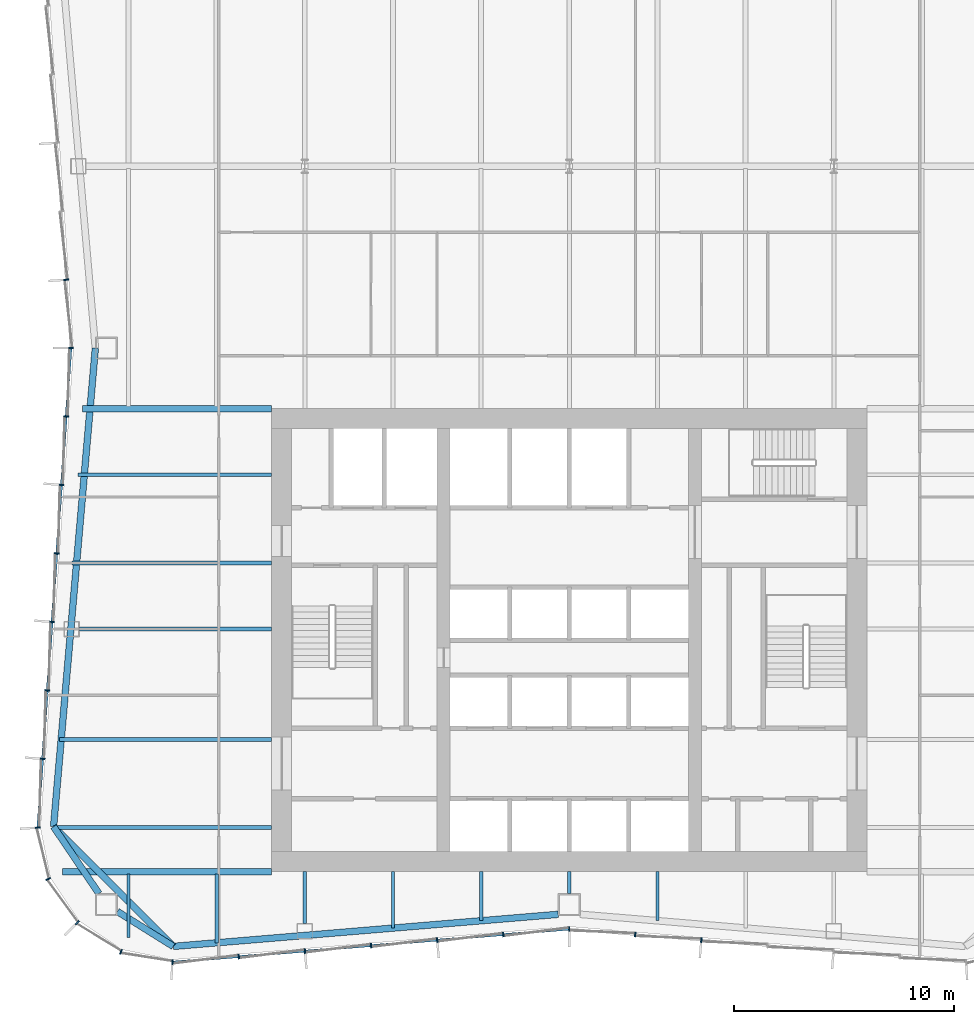
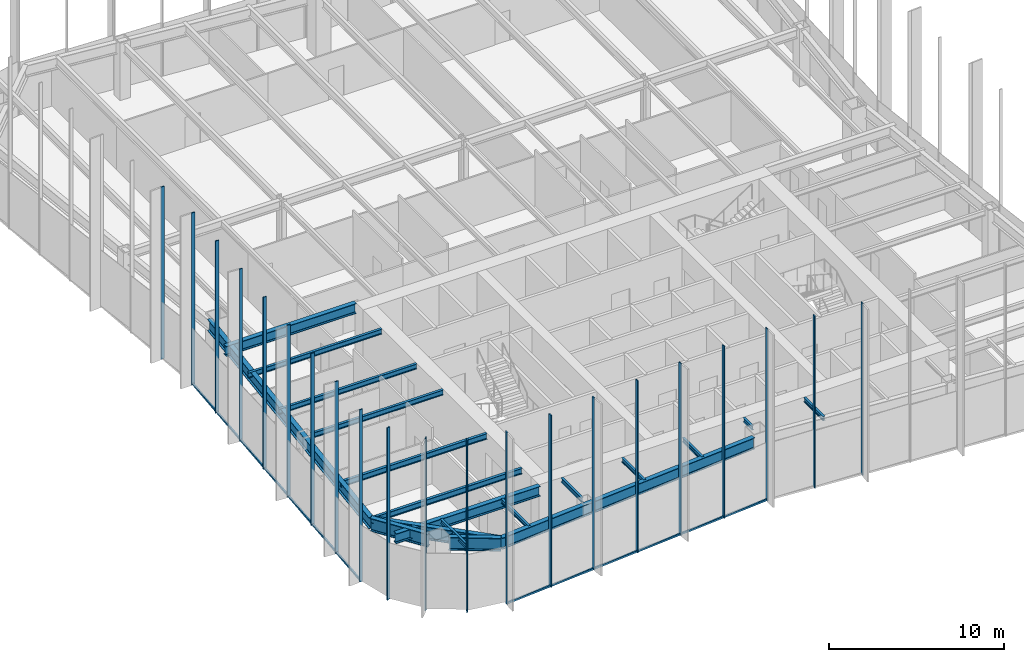
# One storey, part 2 of 13: 23 members, 19 beams, 3 elements without a shape of their own.
"""IFC4 building model written with IfcOpenShell, lengths in metres."""

from ifc_helpers import new_model, si_unit, direction, frame, origin, origin_2d, place, context, subcontext, project, spatial, rectangle, i_section, extrude, material, material_profile, profile_set, type_object, element, aggregate, save


model = new_model("IFC4")

# Units and contexts
model_context = context("Model", 3, precision=1e-05, world=origin(), true_north=direction((0.0, 1.0)))
body_context = subcontext(model_context, "Body", "Model", "MODEL_VIEW")
ifc_project = project(units=[si_unit("LENGTHUNIT", "METRE"), si_unit("AREAUNIT", "SQUARE_METRE"), si_unit("VOLUMEUNIT", "CUBIC_METRE"), si_unit("PLANEANGLEUNIT", "RADIAN"), si_unit("MASSUNIT", "GRAM", prefix="KILO")], contexts=[model_context])

# Site, building, storey
site_placement = place(None, origin())
site = spatial("IfcSite", under=ifc_project, at=site_placement, CompositionType="ELEMENT")
building_placement = place(site_placement, origin())
building = spatial("IfcBuilding", under=site, at=building_placement, Name="Verdant Reach Tower", CompositionType="ELEMENT")
storey_placement = place(building_placement, frame((0.0, 0.0, 182.0)))
storey = spatial("IfcBuildingStorey", under=building, at=storey_placement, Name="L41", CompositionType="ELEMENT", Elevation=182.0)

# Curtain wall, members
ifc_material_1 = material(Name="Anodised aluminium", Category="aluminium")
curtain_wall_type = type_object("IfcCurtainWallType", Name="EN-CW SYSTEM Z3", PredefinedType="NOTDEFINED", material=ifc_material_1)
curtain_wall_1_placement = place(storey_placement, origin())
curtain_wall_1 = element("IfcCurtainWall", 1, at=curtain_wall_1_placement, inside=storey, type_object=curtain_wall_type, Name="Curtain wall west, L41", PredefinedType="NOTDEFINED")
ifc_material_profile_1 = material_profile(ifc_material_1, rectangle(XDim=0.218017578125, YDim=0.06591796875, at=origin_2d()), Name="Mullion 66x218")
ifc_profile_set_1 = profile_set([ifc_material_profile_1], Name="Anodised aluminium")
member_type_1 = type_object("IfcMemberType", Name="EN-MULLION Z3", PredefinedType="MULLION", material=ifc_profile_set_1)
member_1_placement = place(storey_placement, frame((-22.822998046875, 44.349609375, -0.35009765625), z_axis=(0.0, 0.0, 1.0), x_axis=(-0.997630328423, -0.068802091615, 0.0)))
member_1 = element("IfcMember", 2, at=member_1_placement, type_object=member_type_1, Name="Mullion west face part 1 7, L41", PredefinedType="MULLION", context=body_context, shape_type="SweptSolid", body=[
    extrude(rectangle(XDim=0.218017578125, YDim=0.06591796875, at=origin_2d()), origin(), (0.0, 0.0, 1.0), 12.0),
])
member_2_placement = place(storey_placement, frame((-22.60888671875, 41.25, -0.35009765625), z_axis=(0.0, 0.0, 1.0), x_axis=(-1.0, 0.0, 0.0)))
member_2 = element("IfcMember", 3, at=member_2_placement, type_object=member_type_1, Name="Mullion west face part 2 1, L41", PredefinedType="MULLION", context=body_context, shape_type="SweptSolid", body=[
    extrude(rectangle(XDim=0.218017578125, YDim=0.06591796875, at=origin_2d()), origin(), (0.0, 0.0, 1.0), 12.0),
])
member_3_placement = place(storey_placement, frame((-22.822998046875, 38.150390625, -0.35009765625), z_axis=(0.0, 0.0, 1.0), x_axis=(-0.997630328423, 0.068802091615, 0.0)))
member_3 = element("IfcMember", 4, at=member_3_placement, type_object=member_type_1, Name="Mullion west face part 2 2, L41", PredefinedType="MULLION", context=body_context, shape_type="SweptSolid", body=[
    extrude(rectangle(XDim=0.218017578125, YDim=0.06591796875, at=origin_2d()), origin(), (0.0, 0.0, 1.0), 12.0),
])
member_4_placement = place(storey_placement, frame((-23.037353515625, 35.043212890625, -0.35009765625), z_axis=(0.0, 0.0, 1.0), x_axis=(-0.997630328423, 0.068802091615, 0.0)))
member_4 = element("IfcMember", 5, at=member_4_placement, type_object=member_type_1, Name="Mullion west face part 2 3, L41", PredefinedType="MULLION", context=body_context, shape_type="SweptSolid", body=[
    extrude(rectangle(XDim=0.218017578125, YDim=0.06591796875, at=origin_2d()), origin(), (0.0, 0.0, 1.0), 12.0),
])
member_5_placement = place(storey_placement, frame((-23.251708984375, 31.93603515625, -0.35009765625), z_axis=(0.0, 0.0, 1.0), x_axis=(-0.997630328423, 0.068802091615, 0.0)))
member_5 = element("IfcMember", 6, at=member_5_placement, type_object=member_type_1, Name="Mullion west face part 2 4, L41", PredefinedType="MULLION", context=body_context, shape_type="SweptSolid", body=[
    extrude(rectangle(XDim=0.218017578125, YDim=0.06591796875, at=origin_2d()), origin(), (0.0, 0.0, 1.0), 12.0),
])
member_6_placement = place(storey_placement, frame((-23.4658203125, 28.828857421875, -0.35009765625), z_axis=(0.0, 0.0, 1.0), x_axis=(-0.997630328423, 0.068802091615, 0.0)))
member_6 = element("IfcMember", 7, at=member_6_placement, type_object=member_type_1, Name="Mullion west face part 2 5, L41", PredefinedType="MULLION", context=body_context, shape_type="SweptSolid", body=[
    extrude(rectangle(XDim=0.218017578125, YDim=0.06591796875, at=origin_2d()), origin(), (0.0, 0.0, 1.0), 12.0),
])
member_7_placement = place(storey_placement, frame((-23.68017578125, 25.7216796875, -0.35009765625), z_axis=(0.0, 0.0, 1.0), x_axis=(-0.997630328423, 0.068802091615, 0.0)))
member_7 = element("IfcMember", 8, at=member_7_placement, type_object=member_type_1, Name="Mullion west face part 2 6, L41", PredefinedType="MULLION", context=body_context, shape_type="SweptSolid", body=[
    extrude(rectangle(XDim=0.218017578125, YDim=0.06591796875, at=origin_2d()), origin(), (0.0, 0.0, 1.0), 12.0),
])
member_8_placement = place(storey_placement, frame((-23.89453125, 22.61474609375, -0.35009765625), z_axis=(0.0, 0.0, 1.0), x_axis=(-0.997630328423, 0.068802091615, 0.0)))
member_8 = element("IfcMember", 9, at=member_8_placement, type_object=member_type_1, Name="Mullion west face part 2 7, L41", PredefinedType="MULLION", context=body_context, shape_type="SweptSolid", body=[
    extrude(rectangle(XDim=0.218017578125, YDim=0.06591796875, at=origin_2d()), origin(), (0.0, 0.0, 1.0), 12.0),
])

curtain_wall_2_placement = place(storey_placement, origin())
curtain_wall_2 = element("IfcCurtainWall", 10, at=curtain_wall_2_placement, inside=storey, type_object=curtain_wall_type, Name="Curtain wall south-west corner, L41", PredefinedType="NOTDEFINED")
member_9_placement = place(storey_placement, frame((-24.10888671875, 19.4931640625, -0.35009765625), z_axis=(0.0, 0.0, 1.0), x_axis=(-0.997969180898, -0.063698618332, 0.0)))
member_9 = element("IfcMember", 11, at=member_9_placement, type_object=member_type_1, Name="Mullion south-west corner 1, L41", PredefinedType="MULLION", context=body_context, shape_type="SweptSolid", body=[
    extrude(rectangle(XDim=0.218017578125, YDim=0.06591796875, at=origin_2d()), origin(), (0.0, 0.0, 1.0), 12.0),
])
member_10_placement = place(storey_placement, frame((-23.64404296875, 17.162109375, -0.35009765625), z_axis=(0.0, 0.0, 1.0), x_axis=(-0.923875215753, -0.382693853776, 0.0)))
member_10 = element("IfcMember", 12, at=member_10_placement, type_object=member_type_1, Name="Mullion south-west corner 2, L41", PredefinedType="MULLION", context=body_context, shape_type="SweptSolid", body=[
    extrude(rectangle(XDim=0.218017578125, YDim=0.06591796875, at=origin_2d()), origin(), (0.0, 0.0, 1.0), 12.0),
])
member_11_placement = place(storey_placement, frame((-22.319580078125, 15.180419921875, -0.35009765625), z_axis=(0.0, 0.0, 1.0), x_axis=(-0.707106781187, -0.707106781187, 0.0)))
member_11 = element("IfcMember", 13, at=member_11_placement, type_object=member_type_1, Name="Mullion south-west corner 3, L41", PredefinedType="MULLION", context=body_context, shape_type="SweptSolid", body=[
    extrude(rectangle(XDim=0.218017578125, YDim=0.06591796875, at=origin_2d()), origin(), (0.0, 0.0, 1.0), 12.0),
])
member_12_placement = place(storey_placement, frame((-20.337890625, 13.85595703125, -0.35009765625), z_axis=(0.0, 0.0, 1.0), x_axis=(-0.382693853776, -0.923875215753, 0.0)))
member_12 = element("IfcMember", 14, at=member_12_placement, type_object=member_type_1, Name="Mullion south-west corner 4, L41", PredefinedType="MULLION", context=body_context, shape_type="SweptSolid", body=[
    extrude(rectangle(XDim=0.218017578125, YDim=0.06591796875, at=origin_2d()), origin(), (0.0, 0.0, 1.0), 12.0),
])
aggregate(curtain_wall_2, [member_9, member_10, member_11, member_12])

curtain_wall_3_placement = place(storey_placement, origin())
curtain_wall_3 = element("IfcCurtainWall", 15, at=curtain_wall_3_placement, inside=storey, type_object=curtain_wall_type, Name="Curtain wall south, L41", PredefinedType="NOTDEFINED")
member_13_placement = place(storey_placement, frame((-18.006103515625, 13.39111328125, -0.35009765625), z_axis=(0.0, 0.0, 1.0), x_axis=(-0.056569187765, -0.998398681387, 0.0)))
member_13 = element("IfcMember", 16, at=member_13_placement, type_object=member_type_1, Name="Mullion south face part 1 1, L41", PredefinedType="MULLION", context=body_context, shape_type="SweptSolid", body=[
    extrude(rectangle(XDim=0.218017578125, YDim=0.06591796875, at=origin_2d()), origin(), (0.0, 0.0, 1.0), 12.0),
])
member_14_placement = place(storey_placement, frame((-14.990966796875, 13.641357421875, -0.35009765625), z_axis=(0.0, 0.0, 1.0), x_axis=(0.083045479859, -0.996545758244, 0.0)))
member_14 = element("IfcMember", 17, at=member_14_placement, type_object=member_type_1, Name="Mullion south face part 1 2, L41", PredefinedType="MULLION", context=body_context, shape_type="SweptSolid", body=[
    extrude(rectangle(XDim=0.218017578125, YDim=0.06591796875, at=origin_2d()), origin(), (0.0, 0.0, 1.0), 12.0),
])
member_15_placement = place(storey_placement, frame((-11.990966796875, 13.891357421875, -0.35009765625), z_axis=(0.0, 0.0, 1.0), x_axis=(0.083045479859, -0.996545758244, 0.0)))
member_15 = element("IfcMember", 18, at=member_15_placement, type_object=member_type_1, Name="Mullion south face part 1 3, L41", PredefinedType="MULLION", context=body_context, shape_type="SweptSolid", body=[
    extrude(rectangle(XDim=0.218017578125, YDim=0.06591796875, at=origin_2d()), origin(), (0.0, 0.0, 1.0), 12.0),
])
member_16_placement = place(storey_placement, frame((-8.990966796875, 14.141357421875, -0.35009765625), z_axis=(0.0, 0.0, 1.0), x_axis=(0.083045479859, -0.996545758244, 0.0)))
member_16 = element("IfcMember", 19, at=member_16_placement, type_object=member_type_1, Name="Mullion south face part 1 4, L41", PredefinedType="MULLION", context=body_context, shape_type="SweptSolid", body=[
    extrude(rectangle(XDim=0.218017578125, YDim=0.06591796875, at=origin_2d()), origin(), (0.0, 0.0, 1.0), 12.0),
])
member_17_placement = place(storey_placement, frame((-5.990966796875, 14.391357421875, -0.35009765625), z_axis=(0.0, 0.0, 1.0), x_axis=(0.083045479859, -0.996545758244, 0.0)))
member_17 = element("IfcMember", 20, at=member_17_placement, type_object=member_type_1, Name="Mullion south face part 1 5, L41", PredefinedType="MULLION", context=body_context, shape_type="SweptSolid", body=[
    extrude(rectangle(XDim=0.218017578125, YDim=0.06591796875, at=origin_2d()), origin(), (0.0, 0.0, 1.0), 12.0),
])
member_18_placement = place(storey_placement, frame((-2.990966796875, 14.641357421875, -0.35009765625), z_axis=(0.0, 0.0, 1.0), x_axis=(0.083045479859, -0.996545758244, 0.0)))
member_18 = element("IfcMember", 21, at=member_18_placement, type_object=member_type_1, Name="Mullion south face part 1 6, L41", PredefinedType="MULLION", context=body_context, shape_type="SweptSolid", body=[
    extrude(rectangle(XDim=0.218017578125, YDim=0.06591796875, at=origin_2d()), origin(), (0.0, 0.0, 1.0), 12.0),
])
member_19_placement = place(storey_placement, frame((0.0, 14.89111328125, -0.35009765625), z_axis=(0.0, 0.0, 1.0), x_axis=(0.0, -1.0, 0.0)))
member_19 = element("IfcMember", 22, at=member_19_placement, type_object=member_type_1, Name="Mullion south face part 2 1, L41", PredefinedType="MULLION", context=body_context, shape_type="SweptSolid", body=[
    extrude(rectangle(XDim=0.218017578125, YDim=0.06591796875, at=origin_2d()), origin(), (0.0, 0.0, 1.0), 12.0),
])
member_20_placement = place(storey_placement, frame((2.990966796875, 14.641357421875, -0.35009765625), z_axis=(0.0, 0.0, 1.0), x_axis=(-0.083045479859, -0.996545758244, 0.0)))
member_20 = element("IfcMember", 23, at=member_20_placement, type_object=member_type_1, Name="Mullion south face part 2 2, L41", PredefinedType="MULLION", context=body_context, shape_type="SweptSolid", body=[
    extrude(rectangle(XDim=0.218017578125, YDim=0.06591796875, at=origin_2d()), origin(), (0.0, 0.0, 1.0), 12.0),
])
member_21_placement = place(storey_placement, frame((5.990966796875, 14.391357421875, -0.35009765625), z_axis=(0.0, 0.0, 1.0), x_axis=(-0.083045479859, -0.996545758244, 0.0)))
member_21 = element("IfcMember", 24, at=member_21_placement, type_object=member_type_1, Name="Mullion south face part 2 3, L41", PredefinedType="MULLION", context=body_context, shape_type="SweptSolid", body=[
    extrude(rectangle(XDim=0.218017578125, YDim=0.06591796875, at=origin_2d()), origin(), (0.0, 0.0, 1.0), 12.0),
])

# Member
ifc_material_profile_2 = material_profile(ifc_material_1, rectangle(XDim=0.10009765625, YDim=0.1259765625, at=origin_2d()), Name="Transom 126x100")
ifc_profile_set_2 = profile_set([ifc_material_profile_2], Name="Anodised aluminium")
member_type_2 = type_object("IfcMemberType", Name="EN-TRANSOM Z3", PredefinedType="USERDEFINED", material=ifc_profile_set_2)
member_22_placement = place(storey_placement, frame((-22.611328125, 41.217041015625, -0.287109375), z_axis=(-0.068764326054, -0.997632932226, 0.0), x_axis=(0.997632932226, -0.068764326054, 0.0)))
member_22 = element("IfcMember", 25, at=member_22_placement, type_object=member_type_2, Name="Transom west face part 2 1.1, L41", ObjectType="TRANSOM", PredefinedType="USERDEFINED", context=body_context, shape_type="SweptSolid", body=[
    extrude(rectangle(XDim=0.10009765625, YDim=0.1259765625, at=origin_2d()), origin(), (0.0, 0.0, 1.0), 21.74267578125),
])

aggregate(curtain_wall_1, [member_1, member_2, member_3, member_4, member_5, member_6, member_7, member_8, member_22])

member_23_placement = place(storey_placement, frame((-17.973388671875, 13.393798828125, -0.287109375), z_axis=(0.996548750467, 0.083009565369, 0.0), x_axis=(-0.083009565369, 0.996548750467, 0.0)))
member_23 = element("IfcMember", 26, at=member_23_placement, type_object=member_type_2, Name="Transom south face part 1 1.1, L41", ObjectType="TRANSOM", PredefinedType="USERDEFINED", context=body_context, shape_type="SweptSolid", body=[
    extrude(rectangle(XDim=0.10009765625, YDim=0.1259765625, at=origin_2d()), origin(), (0.0, 0.0, 1.0), 18.00244140625),
])

aggregate(curtain_wall_3, [member_13, member_14, member_15, member_16, member_17, member_18, member_23, member_19, member_20, member_21])

# Beams
ifc_material_2 = material(Name="Steel S355", Category="steel")
ifc_material_profile_3 = material_profile(ifc_material_2, i_section(OverallWidth=0.300048828125, OverallDepth=0.699951171875, WebThickness=0.01708984375, FlangeThickness=0.031982421875, FilletRadius=0.027099609375, at=origin_2d()), Name="HEB 700")
ifc_profile_set_3 = profile_set([ifc_material_profile_3], Name="Steel S355")
beam_type_1 = type_object("IfcBeamType", Name="ST-BEAM-HEB700", PredefinedType="BEAM", material=ifc_profile_set_3)
beam_1_placement = place(storey_placement, frame((-13.5, 38.5, 3.52001953125), z_axis=(-1.0, 0.0, 0.0), x_axis=(0.0, -1.0, 0.0)))
element("IfcBeam", 27, at=beam_1_placement, inside=storey, type_object=beam_type_1, Name="Trimmer beam, L41", PredefinedType="BEAM", context=body_context, shape_type="SweptSolid", body=[
    extrude(i_section(OverallWidth=0.300048828125, OverallDepth=0.699951171875, WebThickness=0.01708984375, FlangeThickness=0.031982421875, FilletRadius=0.027099609375, at=origin_2d()), origin(), (0.0, 0.0, 1.0), 8.588134765625),
])
beam_2_placement = place(storey_placement, frame((-13.5, 17.5, 3.52001953125), z_axis=(-1.0, 0.0, 0.0), x_axis=(0.0, -1.0, 0.0)))
element("IfcBeam", 28, at=beam_2_placement, inside=storey, type_object=beam_type_1, Name="Trimmer beam, L41", PredefinedType="BEAM", context=body_context, shape_type="SweptSolid", body=[
    extrude(i_section(OverallWidth=0.300048828125, OverallDepth=0.699951171875, WebThickness=0.01708984375, FlangeThickness=0.031982421875, FilletRadius=0.027099609375, at=origin_2d()), origin(), (0.0, 0.0, 1.0), 9.490478515625),
])
ifc_material_profile_4 = material_profile(ifc_material_2, i_section(OverallWidth=0.302001953125, OverallDepth=0.909912109375, WebThickness=0.02099609375, FlangeThickness=0.0400390625, FilletRadius=0.030029296875, at=origin_2d()), Name="HEM 900")
ifc_profile_set_4 = profile_set([ifc_material_profile_4], Name="Steel S355")
beam_type_2 = type_object("IfcBeamType", Name="ST-BEAM-HEM900", PredefinedType="BEAM", material=ifc_profile_set_4)
beam_3_placement = place(storey_placement, frame((-20.5, 15.687744140625, 3.4150390625), z_axis=(0.848163521635, -0.529734500073, 0.0), x_axis=(0.529734500073, 0.848163521635, 0.0)))
element("IfcBeam", 29, at=beam_3_placement, inside=storey, type_object=beam_type_2, Name="Column stub beam, L41", PredefinedType="BEAM", context=body_context, shape_type="SweptSolid", body=[
    extrude(i_section(OverallWidth=0.302001953125, OverallDepth=0.909912109375, WebThickness=0.02099609375, FlangeThickness=0.0400390625, FilletRadius=0.030029296875, at=origin_2d()), origin(), (0.0, 0.0, 1.0), 2.98779296875),
])
beam_4_placement = place(storey_placement, frame((-21.33837890625, 16.5, 3.4150390625), z_axis=(-0.560703975309, 0.828016335631, 0.0), x_axis=(-0.828016335631, -0.560703975309, 0.0)))
element("IfcBeam", 30, at=beam_4_placement, inside=storey, type_object=beam_type_2, Name="Column stub beam, L41", PredefinedType="BEAM", context=body_context, shape_type="SweptSolid", body=[
    extrude(i_section(OverallWidth=0.302001953125, OverallDepth=0.909912109375, WebThickness=0.02099609375, FlangeThickness=0.0400390625, FilletRadius=0.030029296875, at=origin_2d()), origin(), (0.0, 0.0, 1.0), 3.669677734375),
])
ifc_material_profile_5 = material_profile(ifc_material_2, i_section(OverallWidth=0.14990234375, OverallDepth=0.300048828125, WebThickness=0.007080078125, FlangeThickness=0.0107421875, FilletRadius=0.014892578125, at=origin_2d()), Name="IPE 300")
ifc_profile_set_5 = profile_set([ifc_material_profile_5], Name="Steel S355")
beam_type_3 = type_object("IfcBeamType", Name="ST-JOIST-IPE300", PredefinedType="JOIST", material=ifc_profile_set_5)
beam_5_placement = place(storey_placement, frame((-20.0, 17.39990234375, 3.719970703125), z_axis=(0.0, -1.0, 0.0), x_axis=(1.0, 0.0, 0.0)))
element("IfcBeam", 31, at=beam_5_placement, inside=storey, type_object=beam_type_3, Name="Floor joist, L41", PredefinedType="JOIST", context=body_context, shape_type="SweptSolid", body=[
    extrude(i_section(OverallWidth=0.14990234375, OverallDepth=0.300048828125, WebThickness=0.007080078125, FlangeThickness=0.0107421875, FilletRadius=0.014892578125, at=origin_2d()), origin(), (0.0, 0.0, 1.0), 2.890380859375),
])
beam_6_placement = place(storey_placement, frame((-16.0, 17.39990234375, 3.719970703125), z_axis=(0.0, -1.0, 0.0), x_axis=(1.0, 0.0, 0.0)))
element("IfcBeam", 32, at=beam_6_placement, inside=storey, type_object=beam_type_3, Name="Floor joist, L41", PredefinedType="JOIST", context=body_context, shape_type="SweptSolid", body=[
    extrude(i_section(OverallWidth=0.14990234375, OverallDepth=0.300048828125, WebThickness=0.007080078125, FlangeThickness=0.0107421875, FilletRadius=0.014892578125, at=origin_2d()), origin(), (0.0, 0.0, 1.0), 3.131103515625),
])
beam_7_placement = place(storey_placement, frame((-12.0, 17.5, 3.719970703125), z_axis=(0.0, -1.0, 0.0), x_axis=(1.0, 0.0, 0.0)))
element("IfcBeam", 33, at=beam_7_placement, inside=storey, type_object=beam_type_3, Name="Floor joist, L41", PredefinedType="JOIST", context=body_context, shape_type="SweptSolid", body=[
    extrude(i_section(OverallWidth=0.14990234375, OverallDepth=0.300048828125, WebThickness=0.007080078125, FlangeThickness=0.0107421875, FilletRadius=0.014892578125, at=origin_2d()), origin(), (0.0, 0.0, 1.0), 2.35009765625),
])
beam_8_placement = place(storey_placement, frame((-8.0, 17.5, 3.719970703125), z_axis=(0.0, -1.0, 0.0), x_axis=(1.0, 0.0, 0.0)))
element("IfcBeam", 34, at=beam_8_placement, inside=storey, type_object=beam_type_3, Name="Floor joist, L41", PredefinedType="JOIST", context=body_context, shape_type="SweptSolid", body=[
    extrude(i_section(OverallWidth=0.14990234375, OverallDepth=0.300048828125, WebThickness=0.007080078125, FlangeThickness=0.0107421875, FilletRadius=0.014892578125, at=origin_2d()), origin(), (0.0, 0.0, 1.0), 2.564697265625),
])
beam_9_placement = place(storey_placement, frame((-4.0, 17.5, 3.719970703125), z_axis=(0.0, -1.0, 0.0), x_axis=(1.0, 0.0, 0.0)))
element("IfcBeam", 35, at=beam_9_placement, inside=storey, type_object=beam_type_3, Name="Floor joist, L41", PredefinedType="JOIST", context=body_context, shape_type="SweptSolid", body=[
    extrude(i_section(OverallWidth=0.14990234375, OverallDepth=0.300048828125, WebThickness=0.007080078125, FlangeThickness=0.0107421875, FilletRadius=0.014892578125, at=origin_2d()), origin(), (0.0, 0.0, 1.0), 2.231201171875),
])
beam_10_placement = place(storey_placement, frame((0.0, 17.5, 3.719970703125), z_axis=(0.0, -1.0, 0.0), x_axis=(1.0, 0.0, 0.0)))
element("IfcBeam", 36, at=beam_10_placement, inside=storey, type_object=beam_type_3, Name="Floor joist, L41", PredefinedType="JOIST", context=body_context, shape_type="SweptSolid", body=[
    extrude(i_section(OverallWidth=0.14990234375, OverallDepth=0.300048828125, WebThickness=0.007080078125, FlangeThickness=0.0107421875, FilletRadius=0.014892578125, at=origin_2d()), origin(), (0.0, 0.0, 1.0), 1.0),
])
beam_11_placement = place(storey_placement, frame((4.0, 17.5, 3.719970703125), z_axis=(0.0, -1.0, 0.0), x_axis=(1.0, 0.0, 0.0)))
element("IfcBeam", 37, at=beam_11_placement, inside=storey, type_object=beam_type_3, Name="Floor joist, L41", PredefinedType="JOIST", context=body_context, shape_type="SweptSolid", body=[
    extrude(i_section(OverallWidth=0.14990234375, OverallDepth=0.300048828125, WebThickness=0.007080078125, FlangeThickness=0.0107421875, FilletRadius=0.014892578125, at=origin_2d()), origin(), (0.0, 0.0, 1.0), 2.231201171875),
])
ifc_material_profile_6 = material_profile(ifc_material_2, i_section(OverallWidth=0.169921875, OverallDepth=0.360107421875, WebThickness=0.008056640625, FlangeThickness=0.0126953125, FilletRadius=0.01806640625, at=origin_2d()), Name="IPE 360")
ifc_profile_set_6 = profile_set([ifc_material_profile_6], Name="Steel S355")
beam_type_4 = type_object("IfcBeamType", Name="ST-JOIST-IPE360", PredefinedType="JOIST", material=ifc_profile_set_6)
beam_12_placement = place(storey_placement, frame((-13.5, 28.5, 3.68994140625), z_axis=(-1.0, 0.0, 0.0), x_axis=(0.0, -1.0, 0.0)))
element("IfcBeam", 38, at=beam_12_placement, inside=storey, type_object=beam_type_4, Name="Floor joist, L41", PredefinedType="JOIST", context=body_context, shape_type="SweptSolid", body=[
    extrude(i_section(OverallWidth=0.169921875, OverallDepth=0.360107421875, WebThickness=0.008056640625, FlangeThickness=0.0126953125, FilletRadius=0.01806640625, at=origin_2d()), origin(), (0.0, 0.0, 1.0), 8.729248046875),
])
beam_13_placement = place(storey_placement, frame((-13.5, 31.5, 3.68994140625), z_axis=(-1.0, 0.0, 0.0), x_axis=(0.0, -1.0, 0.0)))
element("IfcBeam", 39, at=beam_13_placement, inside=storey, type_object=beam_type_4, Name="Floor joist, L41", PredefinedType="JOIST", context=body_context, shape_type="SweptSolid", body=[
    extrude(i_section(OverallWidth=0.169921875, OverallDepth=0.360107421875, WebThickness=0.008056640625, FlangeThickness=0.0126953125, FilletRadius=0.01806640625, at=origin_2d()), origin(), (0.0, 0.0, 1.0), 9.071044921875),
])
beam_14_placement = place(storey_placement, frame((-13.5, 35.5, 3.68994140625), z_axis=(-1.0, 0.0, 0.0), x_axis=(0.0, -1.0, 0.0)))
element("IfcBeam", 40, at=beam_14_placement, inside=storey, type_object=beam_type_4, Name="Floor joist, L41", PredefinedType="JOIST", context=body_context, shape_type="SweptSolid", body=[
    extrude(i_section(OverallWidth=0.169921875, OverallDepth=0.360107421875, WebThickness=0.008056640625, FlangeThickness=0.0126953125, FilletRadius=0.01806640625, at=origin_2d()), origin(), (0.0, 0.0, 1.0), 8.795166015625),
])
ifc_material_profile_7 = material_profile(ifc_material_2, i_section(OverallWidth=0.179931640625, OverallDepth=0.39990234375, WebThickness=0.008544921875, FlangeThickness=0.013427734375, FilletRadius=0.02099609375, at=origin_2d()), Name="IPE 400")
ifc_profile_set_7 = profile_set([ifc_material_profile_7], Name="Steel S355")
beam_type_5 = type_object("IfcBeamType", Name="ST-JOIST-IPE400", PredefinedType="JOIST", material=ifc_profile_set_7)
beam_15_placement = place(storey_placement, frame((-13.5, 19.5, 3.669921875), z_axis=(-1.0, 0.0, 0.0), x_axis=(0.0, -1.0, 0.0)))
element("IfcBeam", 41, at=beam_15_placement, inside=storey, type_object=beam_type_5, Name="Floor joist, L41", PredefinedType="JOIST", context=body_context, shape_type="SweptSolid", body=[
    extrude(i_section(OverallWidth=0.179931640625, OverallDepth=0.39990234375, WebThickness=0.008544921875, FlangeThickness=0.013427734375, FilletRadius=0.02099609375, at=origin_2d()), origin(), (0.0, 0.0, 1.0), 9.88818359375),
])
beam_16_placement = place(storey_placement, frame((-13.5, 23.5, 3.669921875), z_axis=(-1.0, 0.0, 0.0), x_axis=(0.0, -1.0, 0.0)))
element("IfcBeam", 42, at=beam_16_placement, inside=storey, type_object=beam_type_5, Name="Floor joist, L41", PredefinedType="JOIST", context=body_context, shape_type="SweptSolid", body=[
    extrude(i_section(OverallWidth=0.179931640625, OverallDepth=0.39990234375, WebThickness=0.008544921875, FlangeThickness=0.013427734375, FilletRadius=0.02099609375, at=origin_2d()), origin(), (0.0, 0.0, 1.0), 9.622802734375),
])
ifc_material_profile_8 = material_profile(ifc_material_2, i_section(OverallWidth=0.300048828125, OverallDepth=0.800048828125, WebThickness=0.017578125, FlangeThickness=0.032958984375, FilletRadius=0.030029296875, at=origin_2d()), Name="HEB 800")
ifc_profile_set_8 = profile_set([ifc_material_profile_8], Name="Steel S355")
beam_type_6 = type_object("IfcBeamType", Name="ST-SPANDREL-HEB800", PredefinedType="SPANDREL", material=ifc_profile_set_8)
beam_17_placement = place(storey_placement, frame((-0.5, 15.560302734375, 3.469970703125), z_axis=(-0.99654652675, -0.083036257282, 0.0), x_axis=(0.083036257282, -0.99654652675, 0.0)))
element("IfcBeam", 43, at=beam_17_placement, inside=storey, type_object=beam_type_6, Name="Edge beam, L41", PredefinedType="SPANDREL", context=body_context, shape_type="SweptSolid", body=[
    extrude(i_section(OverallWidth=0.300048828125, OverallDepth=0.800048828125, WebThickness=0.017578125, FlangeThickness=0.032958984375, FilletRadius=0.030029296875, at=origin_2d()), origin(), (0.0, 0.0, 1.0), 17.5263671875),
])
beam_18_placement = place(storey_placement, frame((-23.39599609375, 19.53857421875, 3.469970703125), z_axis=(0.086996024331, 0.996208658741, 0.0), x_axis=(-0.996208658741, 0.086996024331, 0.0)))
element("IfcBeam", 44, at=beam_18_placement, inside=storey, type_object=beam_type_6, Name="Edge beam, L41", PredefinedType="SPANDREL", context=body_context, shape_type="SweptSolid", body=[
    extrude(i_section(OverallWidth=0.300048828125, OverallDepth=0.800048828125, WebThickness=0.017578125, FlangeThickness=0.032958984375, FilletRadius=0.030029296875, at=origin_2d()), origin(), (0.0, 0.0, 1.0), 21.7939453125),
])
ifc_material_profile_9 = material_profile(ifc_material_2, i_section(OverallWidth=0.302001953125, OverallDepth=0.909912109375, WebThickness=0.02099609375, FlangeThickness=0.0400390625, FilletRadius=0.030029296875, at=origin_2d()), Name="HEM 900")
ifc_profile_set_9 = profile_set([ifc_material_profile_9], Name="Steel S355")
beam_type_7 = type_object("IfcBeamType", Name="ST-SPANDREL-HEM900", PredefinedType="SPANDREL", material=ifc_profile_set_9)
beam_19_placement = place(storey_placement, frame((-17.9658203125, 14.10498046875, 3.4150390625), z_axis=(-0.706884275642, 0.707329216738, 0.0), x_axis=(-0.707329216738, -0.706884275642, 0.0)))
element("IfcBeam", 45, at=beam_19_placement, inside=storey, type_object=beam_type_7, Name="Edge beam, L41", PredefinedType="SPANDREL", context=body_context, shape_type="SweptSolid", body=[
    extrude(i_section(OverallWidth=0.302001953125, OverallDepth=0.909912109375, WebThickness=0.02099609375, FlangeThickness=0.0400390625, FilletRadius=0.030029296875, at=origin_2d()), origin(), (0.0, 0.0, 1.0), 7.681884765625),
])

save(model, "model.ifc")
